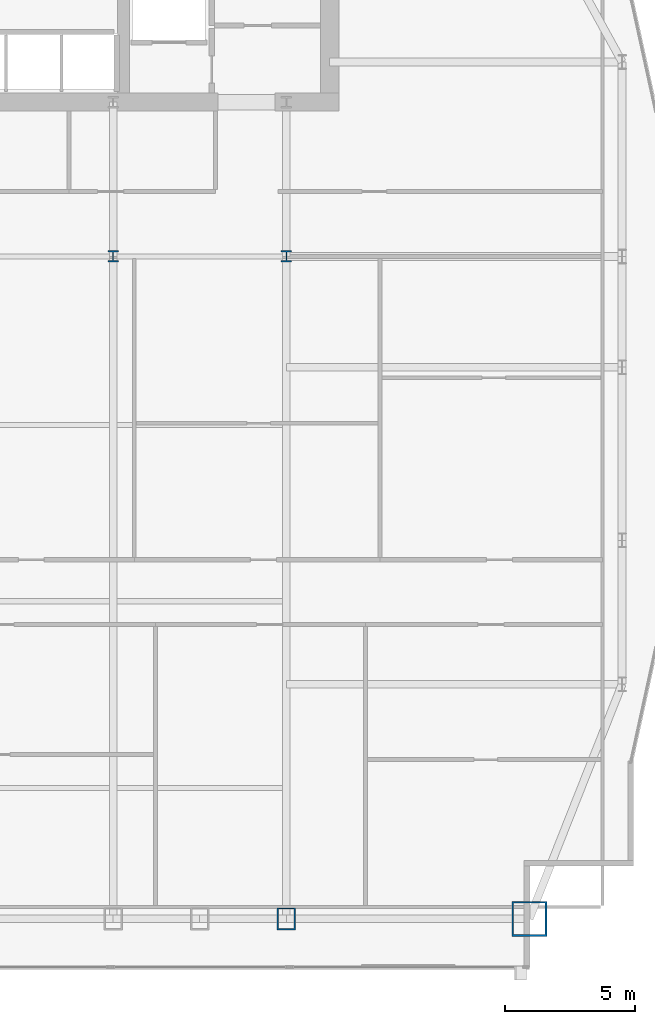
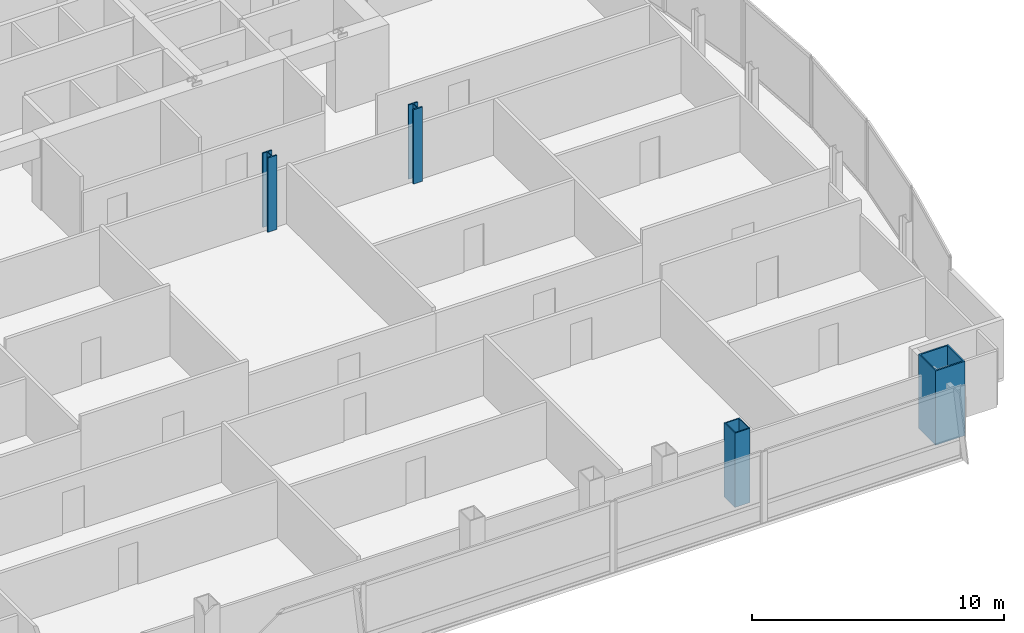
# One storey, part 2 of 29: 4 columns.
"""IFC4 building model written with IfcOpenShell, lengths in metres."""

from ifc_helpers import new_model, si_unit, direction, frame, origin, origin_2d, place, context, subcontext, project, spatial, hollow_rectangle, i_section, extrude, material, material_profile, profile_set, type_object, element, save


model = new_model("IFC4")

# Units and contexts
model_context = context("Model", 3, precision=1e-05, world=origin(), true_north=direction((0.0, 1.0)))
body_context = subcontext(model_context, "Body", "Model", "MODEL_VIEW")
ifc_project = project(units=[si_unit("LENGTHUNIT", "METRE"), si_unit("AREAUNIT", "SQUARE_METRE"), si_unit("VOLUMEUNIT", "CUBIC_METRE"), si_unit("PLANEANGLEUNIT", "RADIAN"), si_unit("MASSUNIT", "GRAM", prefix="KILO")], contexts=[model_context])

# Site, building, storey
site_placement = place(None, origin())
site = spatial("IfcSite", under=ifc_project, at=site_placement, CompositionType="ELEMENT")
building_placement = place(site_placement, origin())
building = spatial("IfcBuilding", under=site, at=building_placement, Name="Khoronbel Lancet Exchange", CompositionType="ELEMENT")
storey_placement = place(building_placement, frame((0.0, 0.0, 161.39990234375)))
storey = spatial("IfcBuildingStorey", under=building, at=storey_placement, Name="L40", CompositionType="ELEMENT", Elevation=161.39990234375)

# Columns
ifc_material = material(Name="Steel S460", Category="steel")
ifc_material_profile_1 = material_profile(ifc_material, hollow_rectangle(XDim=0.699951171875, YDim=0.85009765625, WallThickness=0.050048828125, at=origin_2d()), Name="BOX 850x700x50")
ifc_profile_set_1 = profile_set([ifc_material_profile_1], Name="Steel S460")
column_type_1 = type_object("IfcColumnType", Name="COL-EC2", PredefinedType="COLUMN", material=ifc_profile_set_1)
column_1_placement = place(storey_placement, frame((54.675048828125, 10.14990234375, 0.0), z_axis=(0.0, 0.0, 1.0), x_axis=(1.0, 0.0, 0.0)))
element("IfcColumn", 1, at=column_1_placement, inside=storey, type_object=column_type_1, Name="Structural column SC-E2 L40", PredefinedType="COLUMN", context=body_context, shape_type="SweptSolid", body=[
    extrude(hollow_rectangle(XDim=0.699951171875, YDim=0.85009765625, WallThickness=0.050048828125, at=origin_2d()), origin(), (0.0, 0.0, 1.0), 3.60009765625),
])
ifc_material_profile_2 = material_profile(ifc_material, i_section(OverallWidth=0.416015625, OverallDepth=0.446044921875, WebThickness=0.0390625, FlangeThickness=0.062744140625, at=origin_2d()), Name="HD 400x509")
ifc_profile_set_2 = profile_set([ifc_material_profile_2], Name="Steel S460")
column_type_2 = type_object("IfcColumnType", Name="COL-IC2", PredefinedType="COLUMN", material=ifc_profile_set_2)
for number, where, z_axis, x_axis, name in (
    (2, (48.0, 35.699951171875, 0.0), (0.0, 0.0, 1.0), (1.0, 0.0, 0.0), "Spine gravity column TC3 L40"),
    (3, (54.675048828125, 35.699951171875, 0.0), (0.0, 0.0, 1.0), (1.0, 0.0, 0.0), "Spine gravity column TC4 L40"),
):
    element("IfcColumn", number, at=place(storey_placement, frame(where, z_axis=z_axis, x_axis=x_axis)), inside=storey, type_object=column_type_2, Name=name, PredefinedType="COLUMN", context=body_context, shape_type="SweptSolid", body=[
        extrude(i_section(OverallWidth=0.416015625, OverallDepth=0.446044921875, WebThickness=0.0390625, FlangeThickness=0.062744140625, at=origin_2d()), origin(), (0.0, 0.0, 1.0), 3.60009765625),
    ])
ifc_material_profile_3 = material_profile(ifc_material, hollow_rectangle(XDim=1.35009765625, YDim=1.35009765625, WallThickness=0.06494140625, at=origin_2d()), Name="BOX 1350x1350x65")
ifc_profile_set_3 = profile_set([ifc_material_profile_3], Name="Steel S460")
column_type_3 = type_object("IfcColumnType", Name="COL-MC4", PredefinedType="COLUMN", material=ifc_profile_set_3)
column_2_placement = place(storey_placement, frame((64.050048828125, 10.14990234375, 0.0), z_axis=(0.0, 0.0, 1.0), x_axis=(1.0, 0.0, 0.0)))
element("IfcColumn", 4, at=column_2_placement, inside=storey, type_object=column_type_3, Name="Structural column MC-SE L40", PredefinedType="COLUMN", context=body_context, shape_type="SweptSolid", body=[
    extrude(hollow_rectangle(XDim=1.35009765625, YDim=1.35009765625, WallThickness=0.06494140625, at=origin_2d()), origin(), (0.0, 0.0, 1.0), 3.60009765625),
])

save(model, "model.ifc")
